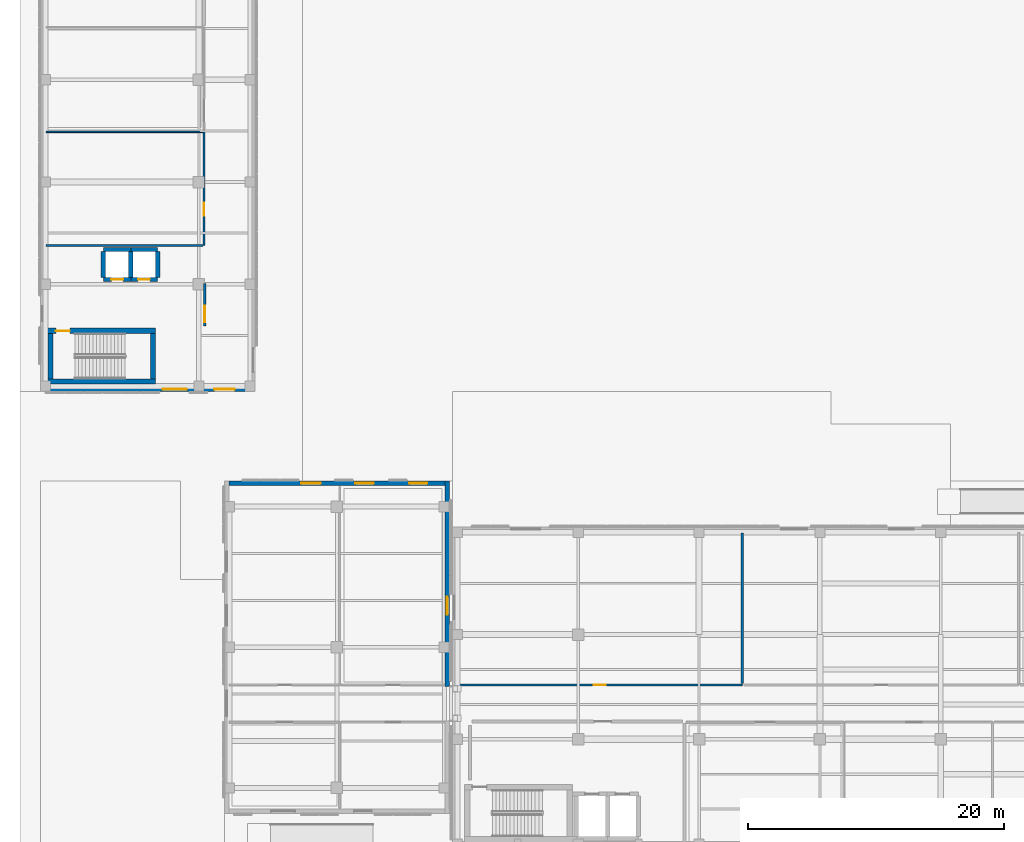
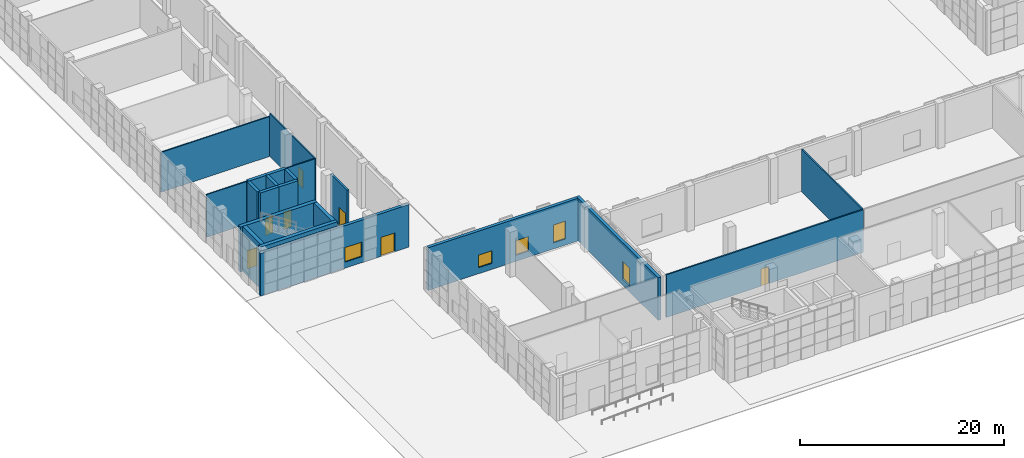
# One storey, part 9 of 40: 20 walls, 7 doors, 5 windows, 12 openings.
"""IFC4 building model written with IfcOpenShell, lengths in metres."""

from ifc_helpers import new_model, si_unit, direction, frame, frame_2d, origin, place, context, subcontext, project, spatial, rectangle, extrude, material, layer, layer_set, type_object, element, fill, save


model = new_model("IFC4")

# Units and contexts
model_context = context("Model", 3, precision=1e-05, world=origin(), true_north=direction((0.0, 1.0)))
body_context = subcontext(model_context, "Body", "Model", "MODEL_VIEW")
ifc_project = project(units=[si_unit("LENGTHUNIT", "METRE"), si_unit("AREAUNIT", "SQUARE_METRE"), si_unit("VOLUMEUNIT", "CUBIC_METRE"), si_unit("PLANEANGLEUNIT", "RADIAN"), si_unit("MASSUNIT", "GRAM", prefix="KILO")], contexts=[model_context])

# Site, building, storey
site_placement = place(None, origin())
site = spatial("IfcSite", under=ifc_project, at=site_placement, CompositionType="ELEMENT")
building_placement = place(site_placement, origin())
building = spatial("IfcBuilding", under=site, at=building_placement, Name="Qalavern Law Courts", CompositionType="ELEMENT")
storey_placement = place(building_placement, origin())
storey = spatial("IfcBuildingStorey", under=building, at=storey_placement, Name="L00", CompositionType="ELEMENT", Elevation=0.0)

# Wall, opening, window
ifc_material_1 = material(Name="Concrete C40/50", Category="concrete")
ifc_layer_1 = layer(ifc_material_1, 0.340087890625)
ifc_layer_set_1 = layer_set([ifc_layer_1], Name="Concrete C40/50")
wall_type_1 = type_object("IfcWallType", Name="ENV-EW-340", PredefinedType="SOLIDWALL", material=ifc_layer_set_1)
wall_1_placement = place(storey_placement, frame((33.830078125, 17.949951171875, 0.0), z_axis=(0.0, 0.0, 1.0), x_axis=(0.0, 1.0, 0.0)))
wall_1 = element("IfcWall", 1, at=wall_1_placement, inside=storey, type_object=wall_type_1, Name="V1 exterior wall L00 east 2", PredefinedType="SOLIDWALL", context=body_context, shape_type="SweptSolid", body=[
    extrude(rectangle(XDim=16.050048828125, YDim=0.340087890625, at=frame_2d((8.02490234375, 0.0))), origin(), (0.0, 0.0, 1.0), 5.10009765625),
])
opening_1_placement = place(wall_1_placement, frame((5.60009765625, 0.0, 0.719970703125)))
opening_1 = element("IfcOpeningElement", 2, at=opening_1_placement, cuts=wall_1, Name="Opening WN-26", PredefinedType="OPENING", context=body_context, shape_type="SweptSolid", body=[
    extrude(rectangle(XDim=1.39990234375, YDim=2.14990234375, at=frame_2d((0.699951171875, 1.074951171875))), frame((0.0, 0.18505859375, 0.0), z_axis=(0.0, -1.0, 0.0), x_axis=(1.0, 0.0, 0.0)), (0.0, 0.0, 1.0), 0.369873046875),
])
ifc_material_2 = material(Name="Anodised aluminium frame with low-E double glazing", Category="aluminium")
window_type_1 = type_object("IfcWindowType", Name="ENV-WIN-1400x2150", PartitioningType="SINGLE_PANEL", PredefinedType="WINDOW", material=ifc_material_2)
window_1_placement = place(opening_1_placement, origin())
window_1 = element("IfcWindow", 3, at=window_1_placement, inside=storey, type_object=window_type_1, Name="V1 window L00 east 2", OverallHeight=2.14990234375, OverallWidth=1.39990234375, PartitioningType="SINGLE_PANEL", PredefinedType="WINDOW", context=body_context, shape_type="SweptSolid", body=[
    extrude(rectangle(XDim=1.39990234375, YDim=2.14990234375, at=frame_2d((0.699951171875, 1.074951171875))), frame((0.0, 0.030029296875, 0.0), z_axis=(0.0, -1.0, 0.0), x_axis=(1.0, 0.0, 0.0)), (0.0, 0.0, 1.0), 0.06005859375),
])
fill(opening_1, window_1)

# Wall, openings, windows
wall_2_placement = place(storey_placement, frame((33.6650390625, 33.830078125, 0.0), z_axis=(0.0, 0.0, 1.0), x_axis=(-1.0, 0.0, 0.0)))
wall_2 = element("IfcWall", 4, at=wall_2_placement, inside=storey, type_object=wall_type_1, Name="V1 exterior wall L00 north 1", PredefinedType="SOLIDWALL", context=body_context, shape_type="SweptSolid", body=[
    extrude(rectangle(XDim=16.929931640625, YDim=0.340087890625, at=frame_2d((8.46484375, 0.0))), origin(), (0.0, 0.0, 1.0), 5.10009765625),
])
opening_2_placement = place(wall_2_placement, frame((1.39990234375, 0.0, 0.719970703125)))
opening_2 = element("IfcOpeningElement", 5, at=opening_2_placement, cuts=wall_2, Name="Opening WN-26", PredefinedType="OPENING", context=body_context, shape_type="SweptSolid", body=[
    extrude(rectangle(XDim=1.39990234375, YDim=2.14990234375, at=frame_2d((0.699951171875, 1.074951171875))), frame((0.0, 0.18505859375, 0.0), z_axis=(0.0, -1.0, 0.0), x_axis=(1.0, 0.0, 0.0)), (0.0, 0.0, 1.0), 0.369873046875),
])
opening_3_placement = place(wall_2_placement, frame((5.574951171875, 0.0, 0.719970703125)))
opening_3 = element("IfcOpeningElement", 6, at=opening_3_placement, cuts=wall_2, Name="Opening WN-11", PredefinedType="OPENING", context=body_context, shape_type="SweptSolid", body=[
    extrude(rectangle(XDim=1.449951171875, YDim=1.75, at=frame_2d((0.72509765625, 0.875))), frame((0.0, 0.18505859375, 0.0), z_axis=(0.0, -1.0, 0.0), x_axis=(1.0, 0.0, 0.0)), (0.0, 0.0, 1.0), 0.369873046875),
])
opening_4_placement = place(wall_2_placement, frame((9.72509765625, 0.0, 0.719970703125)))
opening_4 = element("IfcOpeningElement", 7, at=opening_4_placement, cuts=wall_2, Name="Opening WN-04", PredefinedType="OPENING", context=body_context, shape_type="SweptSolid", body=[
    extrude(rectangle(XDim=1.550048828125, YDim=1.5, at=frame_2d((0.77490234375, 0.75))), frame((0.0, 0.18505859375, 0.0), z_axis=(0.0, -1.0, 0.0), x_axis=(1.0, 0.0, 0.0)), (0.0, 0.0, 1.0), 0.369873046875),
])
window_2_placement = place(opening_2_placement, origin())
window_2 = element("IfcWindow", 8, at=window_2_placement, inside=storey, type_object=window_type_1, Name="V1 window L00 north 1", OverallHeight=2.14990234375, OverallWidth=1.39990234375, PartitioningType="SINGLE_PANEL", PredefinedType="WINDOW", context=body_context, shape_type="SweptSolid", body=[
    extrude(rectangle(XDim=1.39990234375, YDim=2.14990234375, at=frame_2d((0.699951171875, 1.074951171875))), frame((0.0, 0.030029296875, 0.0), z_axis=(0.0, -1.0, 0.0), x_axis=(1.0, 0.0, 0.0)), (0.0, 0.0, 1.0), 0.06005859375),
])
fill(opening_2, window_2)
window_type_2 = type_object("IfcWindowType", Name="ENV-WIN-1450x1750", PartitioningType="SINGLE_PANEL", PredefinedType="WINDOW", material=ifc_material_2)
window_3_placement = place(opening_3_placement, origin())
window_3 = element("IfcWindow", 9, at=window_3_placement, inside=storey, type_object=window_type_2, Name="V1 window L00 north 2", OverallHeight=1.75, OverallWidth=1.449951171875, PartitioningType="SINGLE_PANEL", PredefinedType="WINDOW", context=body_context, shape_type="SweptSolid", body=[
    extrude(rectangle(XDim=1.449951171875, YDim=1.75, at=frame_2d((0.72509765625, 0.875))), frame((0.0, 0.030029296875, 0.0), z_axis=(0.0, -1.0, 0.0), x_axis=(1.0, 0.0, 0.0)), (0.0, 0.0, 1.0), 0.06005859375),
])
fill(opening_3, window_3)
window_type_3 = type_object("IfcWindowType", Name="ENV-WIN-1550x1500", PartitioningType="SINGLE_PANEL", PredefinedType="WINDOW", material=ifc_material_2)
window_4_placement = place(opening_4_placement, origin())
window_4 = element("IfcWindow", 10, at=window_4_placement, inside=storey, type_object=window_type_3, Name="V1 window L00 north 3", OverallHeight=1.5, OverallWidth=1.550048828125, PartitioningType="SINGLE_PANEL", PredefinedType="WINDOW", context=body_context, shape_type="SweptSolid", body=[
    extrude(rectangle(XDim=1.550048828125, YDim=1.5, at=frame_2d((0.77490234375, 0.75))), frame((0.0, 0.030029296875, 0.0), z_axis=(0.0, -1.0, 0.0), x_axis=(1.0, 0.0, 0.0)), (0.0, 0.0, 1.0), 0.06005859375),
])
fill(opening_4, window_4)

# Wall, openings, door, window
wall_3_placement = place(storey_placement, frame((2.0, 41.18994140625, 0.0), z_axis=(0.0, 0.0, 1.0), x_axis=(1.0, 0.0, 0.0)))
wall_3 = element("IfcWall", 11, at=wall_3_placement, inside=storey, type_object=wall_type_1, Name="V3 exterior wall L00 south 1", PredefinedType="SOLIDWALL", context=body_context, shape_type="SweptSolid", body=[
    extrude(rectangle(XDim=16.800048828125, YDim=0.340087890625, at=frame_2d((8.39990234375, 0.0))), origin(), (0.0, 0.0, 1.0), 5.10009765625),
])
opening_5_placement = place(wall_3_placement, frame((13.60009765625, 0.0, 0.0)))
opening_5 = element("IfcOpeningElement", 12, at=opening_5_placement, cuts=wall_3, Name="Opening ED-CORR-V3S", PredefinedType="OPENING", context=body_context, shape_type="SweptSolid", body=[
    extrude(rectangle(XDim=1.60009765625, YDim=2.260009765625, at=frame_2d((0.800048828125, 1.1298828125))), frame((0.0, 0.18505859375, 0.0), z_axis=(0.0, -1.0, 0.0), x_axis=(1.0, 0.0, 0.0)), (0.0, 0.0, 1.0), 0.369873046875),
])
opening_6_placement = place(wall_3_placement, frame((9.550048828125, 0.0, 0.719970703125)))
opening_6 = element("IfcOpeningElement", 13, at=opening_6_placement, cuts=wall_3, Name="Opening WN-14", PredefinedType="OPENING", context=body_context, shape_type="SweptSolid", body=[
    extrude(rectangle(XDim=1.89990234375, YDim=1.75, at=frame_2d((0.949951171875, 0.875))), frame((0.0, 0.18505859375, 0.0), z_axis=(0.0, -1.0, 0.0), x_axis=(1.0, 0.0, 0.0)), (0.0, 0.0, 1.0), 0.369873046875),
])
ifc_material_3 = material(Name="Thermally broken anodised aluminium and laminated safety glass", Category="aluminium")
door_type_1 = type_object("IfcDoorType", Name="ENV-ED-1600x2260", OperationType="DOUBLE_DOOR_SINGLE_SWING", PredefinedType="DOOR", material=ifc_material_3)
door_1_placement = place(opening_5_placement, frame((1.60009765625, 0.0, 0.0), z_axis=(0.0, 0.0, 1.0), x_axis=(-1.0, 0.0, 0.0)))
door_1 = element("IfcDoor", 14, at=door_1_placement, inside=storey, type_object=door_type_1, Name="Ground pedestrian exit door ED-CORR-V3S", OperationType="DOUBLE_DOOR_SINGLE_SWING", OverallHeight=2.260009765625, OverallWidth=1.60009765625, PredefinedType="DOOR", context=body_context, shape_type="SweptSolid", body=[
    extrude(rectangle(XDim=1.60009765625, YDim=2.260009765625, at=frame_2d((0.800048828125, 1.1298828125))), frame((0.0, 0.02490234375, 0.0), z_axis=(0.0, -1.0, 0.0), x_axis=(1.0, 0.0, 0.0)), (0.0, 0.0, 1.0), 0.050048828125),
])
fill(opening_5, door_1)
window_type_4 = type_object("IfcWindowType", Name="ENV-WIN-1900x1750", PartitioningType="SINGLE_PANEL", PredefinedType="WINDOW", material=ifc_material_2)
window_5_placement = place(opening_6_placement, origin())
window_5 = element("IfcWindow", 15, at=window_5_placement, inside=storey, type_object=window_type_4, Name="V3 window L00 south 3", OverallHeight=1.75, OverallWidth=1.89990234375, PartitioningType="SINGLE_PANEL", PredefinedType="WINDOW", context=body_context, shape_type="SweptSolid", body=[
    extrude(rectangle(XDim=1.89990234375, YDim=1.75, at=frame_2d((0.949951171875, 0.875))), frame((0.0, 0.030029296875, 0.0), z_axis=(0.0, -1.0, 0.0), x_axis=(1.0, 0.0, 0.0)), (0.0, 0.0, 1.0), 0.06005859375),
])
fill(opening_6, window_5)

# Walls
ifc_material_4 = material(Name="Concrete C45/55", Category="concrete")
ifc_layer_2 = layer(ifc_material_4, 0.4150390625)
ifc_layer_set_2 = layer_set([ifc_layer_2], Name="Concrete C45/55")
wall_type_2 = type_object("IfcWallType", Name="INT-CW-415", PredefinedType="SHEAR", material=ifc_layer_set_2)
wall_4_placement = place(storey_placement, frame((2.343017578125, 41.79248046875, 0.0), z_axis=(0.0, 0.0, 1.0), x_axis=(1.0, 0.0, 0.0)))
element("IfcWall", 16, at=wall_4_placement, inside=storey, type_object=wall_type_2, Name="Core K2 stair shear wall L00 south", PredefinedType="SHEAR", context=body_context, shape_type="SweptSolid", body=[
    extrude(rectangle(XDim=8.671875, YDim=0.4150390625, at=frame_2d((4.3359375, 0.0))), origin(), (0.0, 0.0, 1.0), 5.39990234375),
])
wall_5_placement = place(storey_placement, frame((10.8076171875, 42.0, 0.0), z_axis=(0.0, 0.0, 1.0), x_axis=(0.0, 1.0, 0.0)))
element("IfcWall", 17, at=wall_5_placement, inside=storey, type_object=wall_type_2, Name="Core K2 stair shear wall L00 east", PredefinedType="SHEAR", context=body_context, shape_type="SweptSolid", body=[
    extrude(rectangle(XDim=3.550048828125, YDim=0.4150390625, at=frame_2d((1.77490234375, 0.0))), origin(), (0.0, 0.0, 1.0), 5.39990234375),
])

# Wall, opening, door
wall_6_placement = place(storey_placement, frame((11.014892578125, 45.757568359375, 0.0), z_axis=(0.0, 0.0, 1.0), x_axis=(-1.0, 0.0, 0.0)))
wall_6 = element("IfcWall", 18, at=wall_6_placement, inside=storey, type_object=wall_type_2, Name="Core K2 stair shear wall L00 north", PredefinedType="SHEAR", context=body_context, shape_type="SweptSolid", body=[
    extrude(rectangle(XDim=8.671875, YDim=0.4150390625, at=frame_2d((4.3359375, 0.0))), origin(), (0.0, 0.0, 1.0), 5.39990234375),
])
opening_7_placement = place(wall_6_placement, frame((6.715087890625, 0.0, 0.0)))
opening_7 = element("IfcOpeningElement", 19, at=opening_7_placement, cuts=wall_6, Name="Opening L00-D053", PredefinedType="OPENING", context=body_context, shape_type="SweptSolid", body=[
    extrude(rectangle(XDim=1.10009765625, YDim=2.14990234375, at=frame_2d((0.550048828125, 1.074951171875))), frame((0.0, 0.222412109375, 0.0), z_axis=(0.0, -1.0, 0.0), x_axis=(1.0, 0.0, 0.0)), (0.0, 0.0, 1.0), 0.44482421875),
])
ifc_material_5 = material(Name="Steel fire-rated stair enclosure door", Category="steel")
door_type_2 = type_object("IfcDoorType", Name="INT-FD-1100x2150", OperationType="NOTDEFINED", PredefinedType="DOOR", material=ifc_material_5)
door_2_placement = place(opening_7_placement, frame((1.10009765625, 0.0, 0.0), z_axis=(0.0, 0.0, 1.0), x_axis=(-1.0, 0.0, 0.0)))
door_2 = element("IfcDoor", 20, at=door_2_placement, inside=storey, type_object=door_type_2, Name="Stair K2 fire door L00", OperationType="SINGLE_SWING_LEFT", OverallHeight=2.14990234375, OverallWidth=1.10009765625, PredefinedType="DOOR", context=body_context, shape_type="SweptSolid", body=[
    extrude(rectangle(XDim=1.10009765625, YDim=2.14990234375, at=frame_2d((0.550048828125, 1.074951171875))), frame((0.0, 0.02490234375, 0.0), z_axis=(0.0, -1.0, 0.0), x_axis=(1.0, 0.0, 0.0)), (0.0, 0.0, 1.0), 0.050048828125),
])
fill(opening_7, door_2)

# Wall
wall_7_placement = place(storey_placement, frame((2.79248046875, 45.550048828125, 0.0), z_axis=(0.0, 0.0, 1.0), x_axis=(0.0, -1.0, 0.0)))
element("IfcWall", 21, at=wall_7_placement, inside=storey, type_object=wall_type_2, Name="Core K2 stair shear wall L00 west", PredefinedType="SHEAR", context=body_context, shape_type="SweptSolid", body=[
    extrude(rectangle(XDim=3.550048828125, YDim=0.4150390625, at=frame_2d((1.77490234375, 0.0))), origin(), (0.0, 0.0, 1.0), 5.39990234375),
])

# Wall, opening, door
ifc_layer_3 = layer(ifc_material_1, 0.22509765625)
ifc_layer_set_3 = layer_set([ifc_layer_3], Name="Concrete C40/50")
wall_type_3 = type_object("IfcWallType", Name="INT-FW-225", PredefinedType="PARTITIONING", material=ifc_layer_set_3)
wall_8_placement = place(storey_placement, frame((14.85009765625, 46.14990234375, 0.0), z_axis=(0.0, 0.0, 1.0), x_axis=(0.0, 1.0, 0.0)))
wall_8 = element("IfcWall", 22, at=wall_8_placement, inside=storey, type_object=wall_type_3, Name="Core K2 firefighting/stair lobby fire wall L00", PredefinedType="PARTITIONING", context=body_context, shape_type="SweptSolid", body=[
    extrude(rectangle(XDim=3.300048828125, YDim=0.22509765625, at=frame_2d((1.64990234375, 0.0))), origin(), (0.0, 0.0, 1.0), 5.10009765625),
])
opening_8_placement = place(wall_8_placement, frame((0.280029296875, 0.0, 0.0)))
opening_8 = element("IfcOpeningElement", 23, at=opening_8_placement, cuts=wall_8, Name="Opening L00-D054", PredefinedType="OPENING", context=body_context, shape_type="SweptSolid", body=[
    extrude(rectangle(XDim=1.300048828125, YDim=2.14990234375, at=frame_2d((0.64990234375, 1.074951171875))), frame((0.0, 0.12744140625, 0.0), z_axis=(0.0, -1.0, 0.0), x_axis=(1.0, 0.0, 0.0)), (0.0, 0.0, 1.0), 0.2548828125),
])
ifc_material_6 = material(Name="Steel fire-rated frame and acoustic timber leaves", Category="steel")
door_type_3 = type_object("IfcDoorType", Name="INT-FD-1300x2150", OperationType="DOUBLE_DOOR_SINGLE_SWING", PredefinedType="DOOR", material=ifc_material_6)
door_3_placement = place(opening_8_placement, origin())
door_3 = element("IfcDoor", 24, at=door_3_placement, inside=storey, type_object=door_type_3, Name="Core K2 lobby fire door L00", OperationType="DOUBLE_DOOR_SINGLE_SWING", OverallHeight=2.14990234375, OverallWidth=1.300048828125, PredefinedType="DOOR", context=body_context, shape_type="SweptSolid", body=[
    extrude(rectangle(XDim=1.300048828125, YDim=2.14990234375, at=frame_2d((0.64990234375, 1.074951171875))), frame((0.0, 0.02490234375, 0.0), z_axis=(0.0, -1.0, 0.0), x_axis=(1.0, 0.0, 0.0)), (0.0, 0.0, 1.0), 0.050048828125),
])
fill(opening_8, door_3)

ifc_material_7 = material(Name="Gypsum stud partition")
ifc_layer_4 = layer(ifc_material_7, 0.132080078125)
ifc_layer_set_4 = layer_set([ifc_layer_4], Name="Gypsum stud partition")
wall_type_4 = type_object("IfcWallType", Name="INT-PW-132", PredefinedType="PARTITIONING", material=ifc_layer_set_4)
wall_9_placement = place(storey_placement, frame((14.7900390625, 52.43994140625, 0.0), z_axis=(0.0, 0.0, 1.0), x_axis=(0.0, 1.0, 0.0)))
wall_9 = element("IfcWall", 25, at=wall_9_placement, inside=storey, type_object=wall_type_4, Name="Criminal Case Registry corridor partition L00", PredefinedType="PARTITIONING", context=body_context, shape_type="SweptSolid", body=[
    extrude(rectangle(XDim=8.883056640625, YDim=0.132080078125, at=frame_2d((4.44140625, 0.0))), origin(), (0.0, 0.0, 1.0), 5.10009765625),
])
opening_9_placement = place(wall_9_placement, frame((2.341552734375, 0.0, 0.0)))
opening_9 = element("IfcOpeningElement", 26, at=opening_9_placement, cuts=wall_9, Name="Opening L00-D205", PredefinedType="OPENING", context=body_context, shape_type="SweptSolid", body=[
    extrude(rectangle(XDim=1.0, YDim=2.10009765625, at=frame_2d((0.5, 1.050048828125))), frame((0.0, 0.0810546875, 0.0), z_axis=(0.0, -1.0, 0.0), x_axis=(1.0, 0.0, 0.0)), (0.0, 0.0, 1.0), 0.161865234375),
])
ifc_material_8 = material(Name="Timber Judicial Clerks' Office door", Category="wood")
door_type_4 = type_object("IfcDoorType", Name="INT-ID-1000x2100", OperationType="NOTDEFINED", PredefinedType="DOOR", material=ifc_material_8)
door_4_placement = place(opening_9_placement, frame((1.0, 0.0, 0.0), z_axis=(0.0, 0.0, 1.0), x_axis=(-1.0, 0.0, 0.0)))
door_4 = element("IfcDoor", 27, at=door_4_placement, inside=storey, type_object=door_type_4, Name="Criminal Case Registry door L00", OperationType="SINGLE_SWING_LEFT", OverallHeight=2.10009765625, OverallWidth=1.0, PredefinedType="DOOR", context=body_context, shape_type="SweptSolid", body=[
    extrude(rectangle(XDim=1.0, YDim=2.10009765625, at=frame_2d((0.5, 1.050048828125))), frame((0.0, 0.02490234375, 0.0), z_axis=(0.0, -1.0, 0.0), x_axis=(1.0, 0.0, 0.0)), (0.0, 0.0, 1.0), 0.050048828125),
])
fill(opening_9, door_4)

# Walls
wall_10_placement = place(storey_placement, frame((2.43994140625, 52.43994140625, 0.0), z_axis=(0.0, 0.0, 1.0), x_axis=(1.0, 0.0, 0.0)))
element("IfcWall", 28, at=wall_10_placement, inside=storey, type_object=wall_type_4, Name="Criminal Case Registry cross partition L00 south", PredefinedType="PARTITIONING", context=body_context, shape_type="SweptSolid", body=[
    extrude(rectangle(XDim=12.26416015625, YDim=0.132080078125, at=frame_2d((6.132080078125, 0.0))), origin(), (0.0, 0.0, 1.0), 5.10009765625),
])
wall_11_placement = place(storey_placement, frame((2.43994140625, 61.322998046875, 0.0), z_axis=(0.0, 0.0, 1.0), x_axis=(1.0, 0.0, 0.0)))
element("IfcWall", 29, at=wall_11_placement, inside=storey, type_object=wall_type_4, Name="Criminal Case Registry cross partition L00 north", PredefinedType="PARTITIONING", context=body_context, shape_type="SweptSolid", body=[
    extrude(rectangle(XDim=12.26416015625, YDim=0.132080078125, at=frame_2d((6.132080078125, 0.0))), origin(), (0.0, 0.0, 1.0), 4.780029296875),
])

# Wall, opening, door
ifc_layer_5 = layer(ifc_material_7, 0.162109375)
ifc_layer_set_5 = layer_set([ifc_layer_5], Name="Gypsum stud partition")
wall_type_5 = type_object("IfcWallType", Name="INT-PW-162", PredefinedType="PARTITIONING", material=ifc_layer_set_5)
wall_12_placement = place(storey_placement, frame((34.60009765625, 18.06005859375, 0.0), z_axis=(0.0, 0.0, 1.0), x_axis=(1.0, 0.0, 0.0)))
wall_12 = element("IfcWall", 30, at=wall_12_placement, inside=storey, type_object=wall_type_5, Name="Accessible WC corridor partition L00", PredefinedType="PARTITIONING", context=body_context, shape_type="SweptSolid", body=[
    extrude(rectangle(XDim=22.307861328125, YDim=0.162109375, at=frame_2d((11.15380859375, 0.0))), origin(), (0.0, 0.0, 1.0), 5.10009765625),
])
opening_10_placement = place(wall_12_placement, frame((10.694091796875, 0.0, 0.0)))
opening_10 = element("IfcOpeningElement", 31, at=opening_10_placement, cuts=wall_12, Name="Opening L00-D158", PredefinedType="OPENING", context=body_context, shape_type="SweptSolid", body=[
    extrude(rectangle(XDim=0.919921875, YDim=2.06005859375, at=frame_2d((0.4599609375, 1.030029296875))), frame((0.0, 0.095947265625, 0.0), z_axis=(0.0, -1.0, 0.0), x_axis=(1.0, 0.0, 0.0)), (0.0, 0.0, 1.0), 0.19189453125),
])
ifc_material_9 = material(Name="Public and Staff WC door")
door_type_5 = type_object("IfcDoorType", Name="INT-ID-920x2060", OperationType="NOTDEFINED", PredefinedType="DOOR", material=ifc_material_9)
door_5_placement = place(opening_10_placement, origin())
door_5 = element("IfcDoor", 32, at=door_5_placement, inside=storey, type_object=door_type_5, Name="Accessible WC door L00", OperationType="SINGLE_SWING_LEFT", OverallHeight=2.06005859375, OverallWidth=0.919921875, PredefinedType="DOOR", context=body_context, shape_type="SweptSolid", body=[
    extrude(rectangle(XDim=0.919921875, YDim=2.06005859375, at=frame_2d((0.4599609375, 1.030029296875))), frame((0.0, 0.02490234375, 0.0), z_axis=(0.0, -1.0, 0.0), x_axis=(1.0, 0.0, 0.0)), (0.0, 0.0, 1.0), 0.050048828125),
])
fill(opening_10, door_5)

# Wall
wall_13_placement = place(storey_placement, frame((56.907958984375, 18.160888671875, 0.0), z_axis=(0.0, 0.0, 1.0), x_axis=(0.0, 1.0, 0.0)))
element("IfcWall", 33, at=wall_13_placement, inside=storey, type_object=wall_type_5, Name="Accessible WC cross partition L00 east", PredefinedType="PARTITIONING", context=body_context, shape_type="SweptSolid", body=[
    extrude(rectangle(XDim=11.799072265625, YDim=0.162109375, at=frame_2d((5.8994140625, 0.0))), origin(), (0.0, 0.0, 1.0), 5.10009765625),
])

# Wall, opening, door
ifc_layer_6 = layer(ifc_material_4, 0.344970703125)
ifc_layer_set_6 = layer_set([ifc_layer_6], Name="Concrete C45/55")
wall_type_6 = type_object("IfcWallType", Name="INT-SW-345", PredefinedType="SHEAR", material=ifc_layer_set_6)
wall_14_placement = place(storey_placement, frame((6.927490234375, 49.777587890625, 0.0), z_axis=(0.0, 0.0, 1.0), x_axis=(1.0, 0.0, 0.0)))
wall_14 = element("IfcWall", 34, at=wall_14_placement, inside=storey, type_object=wall_type_6, Name="Lift LF-C1 shaft wall L00 south", PredefinedType="SHEAR", context=body_context, shape_type="SweptSolid", body=[
    extrude(rectangle(XDim=2.14501953125, YDim=0.344970703125, at=frame_2d((1.072509765625, 0.0))), origin(), (0.0, 0.0, 1.0), 5.39990234375),
])
opening_11_placement = place(wall_14_placement, frame((0.612548828125, 0.0, 0.0)))
opening_11 = element("IfcOpeningElement", 35, at=opening_11_placement, cuts=wall_14, Name="Opening LD-LF-C1-L00", PredefinedType="OPENING", context=body_context, shape_type="SweptSolid", body=[
    extrude(rectangle(XDim=0.919921875, YDim=2.10009765625, at=frame_2d((0.4599609375, 1.050048828125))), frame((0.0, 0.1875, 0.0), z_axis=(0.0, -1.0, 0.0), x_axis=(1.0, 0.0, 0.0)), (0.0, 0.0, 1.0), 0.374755859375),
])
ifc_material_10 = material(Name="Heavy-gauge steel custody lift sliding landing door", Category="steel")
door_type_6 = type_object("IfcDoorType", Name="INT-LD-920x2100", OperationType="SLIDING_TO_LEFT", PredefinedType="DOOR", material=ifc_material_10)
door_6_placement = place(opening_11_placement, origin())
door_6 = element("IfcDoor", 36, at=door_6_placement, inside=storey, type_object=door_type_6, Name="Lift LF-C1 sliding landing door L00", OperationType="SLIDING_TO_LEFT", OverallHeight=2.10009765625, OverallWidth=0.919921875, PredefinedType="DOOR", context=body_context, shape_type="SweptSolid", body=[
    extrude(rectangle(XDim=0.919921875, YDim=2.10009765625, at=frame_2d((0.4599609375, 1.050048828125))), frame((0.0, 0.02490234375, 0.0), z_axis=(0.0, -1.0, 0.0), x_axis=(1.0, 0.0, 0.0)), (0.0, 0.0, 1.0), 0.050048828125),
])
fill(opening_11, door_6)

# Walls
wall_15_placement = place(storey_placement, frame((9.072509765625, 49.949951171875, 0.0), z_axis=(0.0, 0.0, 1.0), x_axis=(0.0, 1.0, 0.0)))
element("IfcWall", 37, at=wall_15_placement, inside=storey, type_object=wall_type_6, Name="Lift LF-C1 shaft wall L00 east", PredefinedType="SHEAR", context=body_context, shape_type="SweptSolid", body=[
    extrude(rectangle(XDim=2.0, YDim=0.344970703125, at=frame_2d((1.0, 0.0))), origin(), (0.0, 0.0, 1.0), 5.39990234375),
])
wall_16_placement = place(storey_placement, frame((9.072509765625, 52.12255859375, 0.0), z_axis=(0.0, 0.0, 1.0), x_axis=(-1.0, 0.0, 0.0)))
element("IfcWall", 38, at=wall_16_placement, inside=storey, type_object=wall_type_6, Name="Lift LF-C1 shaft wall L00 north", PredefinedType="SHEAR", context=body_context, shape_type="SweptSolid", body=[
    extrude(rectangle(XDim=2.14501953125, YDim=0.344970703125, at=frame_2d((1.072509765625, 0.0))), origin(), (0.0, 0.0, 1.0), 5.39990234375),
])
wall_17_placement = place(storey_placement, frame((6.927490234375, 51.949951171875, 0.0), z_axis=(0.0, 0.0, 1.0), x_axis=(0.0, -1.0, 0.0)))
element("IfcWall", 39, at=wall_17_placement, inside=storey, type_object=wall_type_6, Name="Lift LF-C1 shaft wall L00 west", PredefinedType="SHEAR", context=body_context, shape_type="SweptSolid", body=[
    extrude(rectangle(XDim=2.0, YDim=0.344970703125, at=frame_2d((1.0, 0.0))), origin(), (0.0, 0.0, 1.0), 5.39990234375),
])

# Wall, opening, door
wall_18_placement = place(storey_placement, frame((9.027587890625, 49.777587890625, 0.0), z_axis=(0.0, 0.0, 1.0), x_axis=(1.0, 0.0, 0.0)))
wall_18 = element("IfcWall", 40, at=wall_18_placement, inside=storey, type_object=wall_type_6, Name="Lift LF-C2 shaft wall L00 south", PredefinedType="SHEAR", context=body_context, shape_type="SweptSolid", body=[
    extrude(rectangle(XDim=2.14501953125, YDim=0.344970703125, at=frame_2d((1.072509765625, 0.0))), origin(), (0.0, 0.0, 1.0), 5.39990234375),
])
opening_12_placement = place(wall_18_placement, frame((0.612548828125, 0.0, 0.0)))
opening_12 = element("IfcOpeningElement", 41, at=opening_12_placement, cuts=wall_18, Name="Opening LD-LF-C2-L00", PredefinedType="OPENING", context=body_context, shape_type="SweptSolid", body=[
    extrude(rectangle(XDim=0.919921875, YDim=2.10009765625, at=frame_2d((0.4599609375, 1.050048828125))), frame((0.0, 0.1875, 0.0), z_axis=(0.0, -1.0, 0.0), x_axis=(1.0, 0.0, 0.0)), (0.0, 0.0, 1.0), 0.374755859375),
])
door_7_placement = place(opening_12_placement, origin())
door_7 = element("IfcDoor", 42, at=door_7_placement, inside=storey, type_object=door_type_6, Name="Lift LF-C2 sliding landing door L00", OperationType="SLIDING_TO_LEFT", OverallHeight=2.10009765625, OverallWidth=0.919921875, PredefinedType="DOOR", context=body_context, shape_type="SweptSolid", body=[
    extrude(rectangle(XDim=0.919921875, YDim=2.10009765625, at=frame_2d((0.4599609375, 1.050048828125))), frame((0.0, 0.02490234375, 0.0), z_axis=(0.0, -1.0, 0.0), x_axis=(1.0, 0.0, 0.0)), (0.0, 0.0, 1.0), 0.050048828125),
])
fill(opening_12, door_7)

# Walls
wall_19_placement = place(storey_placement, frame((11.172607421875, 49.949951171875, 0.0), z_axis=(0.0, 0.0, 1.0), x_axis=(0.0, 1.0, 0.0)))
element("IfcWall", 43, at=wall_19_placement, inside=storey, type_object=wall_type_6, Name="Lift LF-C2 shaft wall L00 east", PredefinedType="SHEAR", context=body_context, shape_type="SweptSolid", body=[
    extrude(rectangle(XDim=2.0, YDim=0.344970703125, at=frame_2d((1.0, 0.0))), origin(), (0.0, 0.0, 1.0), 5.39990234375),
])
wall_20_placement = place(storey_placement, frame((11.172607421875, 52.12255859375, 0.0), z_axis=(0.0, 0.0, 1.0), x_axis=(-1.0, 0.0, 0.0)))
element("IfcWall", 44, at=wall_20_placement, inside=storey, type_object=wall_type_6, Name="Lift LF-C2 shaft wall L00 north", PredefinedType="SHEAR", context=body_context, shape_type="SweptSolid", body=[
    extrude(rectangle(XDim=2.14501953125, YDim=0.344970703125, at=frame_2d((1.072509765625, 0.0))), origin(), (0.0, 0.0, 1.0), 5.39990234375),
])

save(model, "model.ifc")
